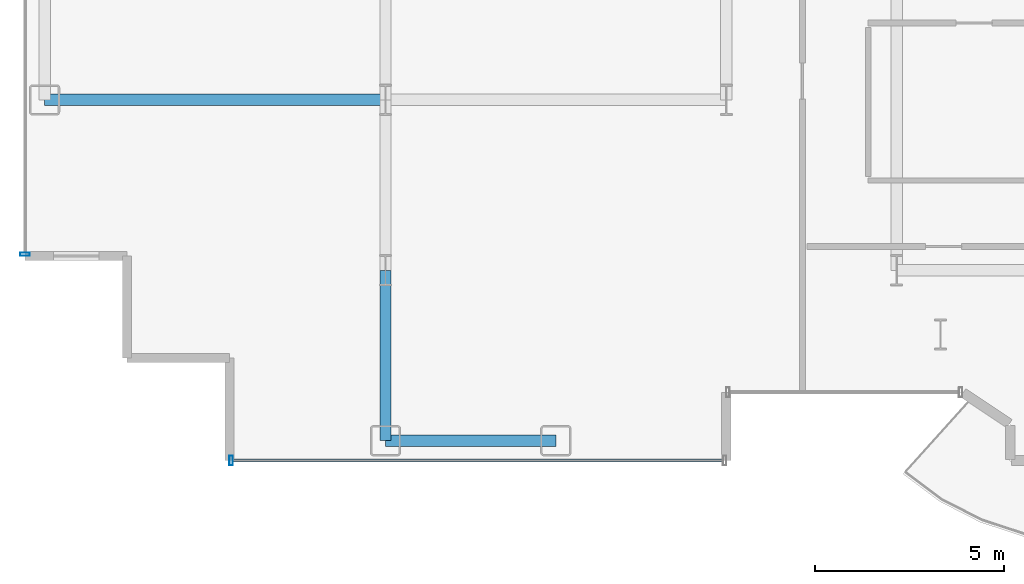
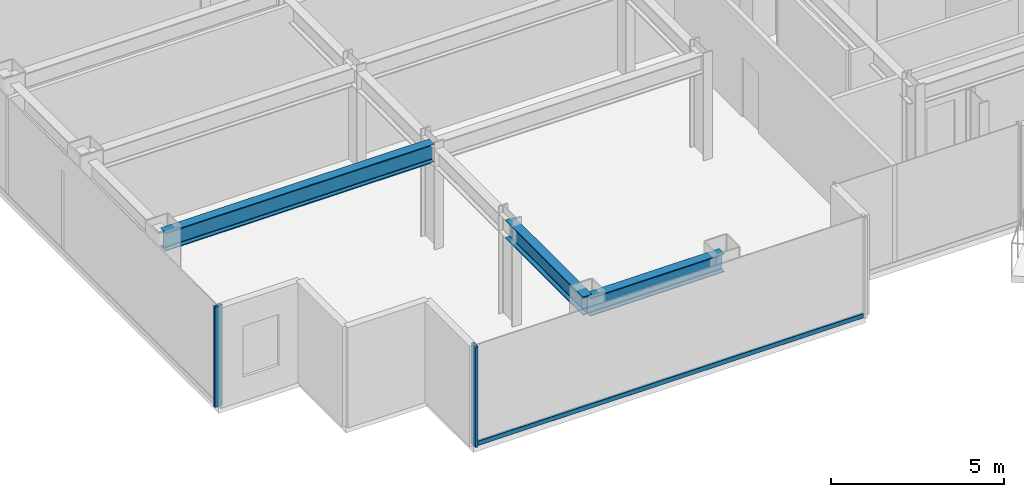
# One storey, part 3 of 22: 3 beams, 3 members, 2 elements without a shape of their own.
"""IFC4 building model written with IfcOpenShell, lengths in metres."""

from ifc_helpers import new_model, si_unit, direction, frame, origin, origin_2d, place, context, subcontext, project, spatial, hollow_rectangle, i_section, extrude, source, transform, mapped, material, layer, layer_set, material_profile, profile_set, type_object, element, aggregate, save


model = new_model("IFC4")

# Units and contexts
model_context = context("Model", 3, precision=1e-05, world=origin(), true_north=direction((0.0, 1.0)))
body_context = subcontext(model_context, "Body", "Model", "MODEL_VIEW")
ifc_project = project(units=[si_unit("LENGTHUNIT", "METRE"), si_unit("AREAUNIT", "SQUARE_METRE"), si_unit("VOLUMEUNIT", "CUBIC_METRE"), si_unit("PLANEANGLEUNIT", "RADIAN"), si_unit("MASSUNIT", "GRAM", prefix="KILO")], contexts=[model_context])

# Site, building, storey
site_placement = place(None, origin())
site = spatial("IfcSite", under=ifc_project, at=site_placement, CompositionType="ELEMENT")
building_placement = place(site_placement, origin())
building = spatial("IfcBuilding", under=site, at=building_placement, Name="Nefas-Gora Pilgrimage Tower", CompositionType="ELEMENT")
storey_placement = place(building_placement, frame((0.0, 0.0, 186.800048828125)))
storey = spatial("IfcBuildingStorey", under=building, at=storey_placement, Name="L46", CompositionType="ELEMENT", Elevation=186.800048828125)

# Beams
ifc_material_1 = material(Name="Steel S355", Category="steel")
ifc_material_profile_1 = material_profile(ifc_material_1, i_section(OverallWidth=0.300048828125, OverallDepth=0.64990234375, WebThickness=0.01611328125, FlangeThickness=0.031005859375, FilletRadius=0.027099609375, at=origin_2d()), Name="HEB 650")
ifc_profile_set_1 = profile_set([ifc_material_profile_1], Name="Steel S355")
beam_type_1 = type_object("IfcBeamType", Name="BM-SPN-HEB500", PredefinedType="SPANDREL", material=ifc_profile_set_1)
shared_shape_1 = source(origin(), body_context, "Body", "SweptSolid", [
    extrude(i_section(OverallWidth=0.300048828125, OverallDepth=0.64990234375, WebThickness=0.01611328125, FlangeThickness=0.031005859375, FilletRadius=0.027099609375, at=origin_2d()), origin(), (0.0, 0.0, 1.0), 4.5),
])
beam_1_placement = place(storey_placement, frame((-24.75, -22.5, 3.224853515625), z_axis=(1.0, 0.0, 0.0), x_axis=(0.0, 1.0, 0.0)))
element("IfcBeam", 1, at=beam_1_placement, inside=storey, type_object=beam_type_1, Name="L46 SP-02 beam", PredefinedType="SPANDREL", context=body_context, shape_type="MappedRepresentation", body=[
    mapped(shared_shape_1, transform((0.0, 0.0, 0.0), x_axis=(1.0, 0.0, 0.0), y_axis=(0.0, 1.0, 0.0), z_axis=(0.0, 0.0, 1.0), scale=1.0)),
])
ifc_material_profile_2 = material_profile(ifc_material_1, i_section(OverallWidth=0.300048828125, OverallDepth=0.64990234375, WebThickness=0.01611328125, FlangeThickness=0.031005859375, FilletRadius=0.027099609375, at=origin_2d()), Name="HEB 650")
ifc_profile_set_2 = profile_set([ifc_material_profile_2], Name="Steel S355")
beam_type_2 = type_object("IfcBeamType", Name="BM-GIR-HEB650", PredefinedType="BEAM", material=ifc_profile_set_2)
shared_shape_2 = source(origin(), body_context, "Body", "SweptSolid", [
    extrude(i_section(OverallWidth=0.300048828125, OverallDepth=0.64990234375, WebThickness=0.01611328125, FlangeThickness=0.031005859375, FilletRadius=0.027099609375, at=origin_2d()), origin(), (0.0, 0.0, 1.0), 9.0),
])
beam_2_placement = place(storey_placement, frame((-33.75, -13.5, 3.224853515625), z_axis=(1.0, 0.0, 0.0), x_axis=(0.0, 1.0, 0.0)))
element("IfcBeam", 2, at=beam_2_placement, inside=storey, type_object=beam_type_2, Name="L46 G-03 beam", PredefinedType="BEAM", context=body_context, shape_type="MappedRepresentation", body=[
    mapped(shared_shape_2, transform((0.0, 0.0, 0.0), x_axis=(1.0, 0.0, 0.0), y_axis=(0.0, 1.0, 0.0), z_axis=(0.0, 0.0, 1.0), scale=1.0)),
])
shared_shape_3 = source(origin(), body_context, "Body", "SweptSolid", [
    extrude(i_section(OverallWidth=0.300048828125, OverallDepth=0.64990234375, WebThickness=0.01611328125, FlangeThickness=0.031005859375, FilletRadius=0.027099609375, at=origin_2d()), origin(), (0.0, 0.0, 1.0), 4.5),
])
beam_3_placement = place(storey_placement, frame((-24.75, -22.5, 3.224853515625), z_axis=(0.0, 1.0, 0.0), x_axis=(-1.0, 0.0, 0.0)))
element("IfcBeam", 3, at=beam_3_placement, inside=storey, type_object=beam_type_2, Name="L46 G-03 beam", PredefinedType="BEAM", context=body_context, shape_type="MappedRepresentation", body=[
    mapped(shared_shape_3, transform((0.0, 0.0, 0.0), x_axis=(1.0, 0.0, 0.0), y_axis=(0.0, 1.0, 0.0), z_axis=(0.0, 0.0, 1.0), scale=1.0)),
])

# Curtain wall, member
ifc_material_2 = material(Name="Dark ceramic-fritted solar-control aluminium-glass curtain wall", Category="aluminium")
ifc_layer = layer(ifc_material_2, 0.219970703125)
ifc_layer_set = layer_set([ifc_layer], Name="Dark ceramic-fritted solar-control aluminium-glass curtain wall")
curtain_wall_type = type_object("IfcCurtainWallType", Name="CW-SYS-3", PredefinedType="NOTDEFINED", material=ifc_layer_set)
curtain_wall_1_placement = place(storey_placement, origin())
curtain_wall_1 = element("IfcCurtainWall", 4, at=curtain_wall_1_placement, inside=storey, type_object=curtain_wall_type, Name="L46 Unitised Curtain Wall CW3", PredefinedType="NOTDEFINED")
ifc_material_3 = material(Name="Anodised architectural aluminium", Category="aluminium")
ifc_material_profile_3 = material_profile(ifc_material_3, hollow_rectangle(XDim=0.090087890625, YDim=0.260009765625, WallThickness=0.006103515625, InnerFilletRadius=0.006103515625, OuterFilletRadius=0.011962890625, at=origin_2d()), Name="ALU MULLION 90x260")
ifc_profile_set_3 = profile_set([ifc_material_profile_3], Name="Anodised architectural aluminium")
member_type_1 = type_object("IfcMemberType", Name="CWM-MUL-3", PredefinedType="MULLION", material=ifc_profile_set_3)
shared_shape_4 = source(origin(), body_context, "Body", "SweptSolid", [
    extrude(hollow_rectangle(XDim=0.090087890625, YDim=0.260009765625, WallThickness=0.006103515625, InnerFilletRadius=0.006103515625, OuterFilletRadius=0.011962890625, at=origin_2d()), origin(), (0.0, 0.0, 1.0), 3.550048828125),
])
member_1_placement = place(storey_placement, frame((-34.27001953125, -17.574951171875, 0.0), z_axis=(0.0, 0.0, 1.0), x_axis=(0.0, -1.0, 0.0)))
member_1 = element("IfcMember", 5, at=member_1_placement, type_object=member_type_1, Name="CW3 Mullion 2", PredefinedType="MULLION", context=body_context, shape_type="MappedRepresentation", body=[
    mapped(shared_shape_4, transform((0.0, 0.0, 0.0), x_axis=(1.0, 0.0, 0.0), y_axis=(0.0, 1.0, 0.0), z_axis=(0.0, 0.0, 1.0), scale=1.0)),
])
aggregate(curtain_wall_1, [member_1])

# Curtain wall, members
curtain_wall_2_placement = place(storey_placement, origin())
curtain_wall_2 = element("IfcCurtainWall", 6, at=curtain_wall_2_placement, inside=storey, type_object=curtain_wall_type, Name="L46 Unitised Curtain Wall CW3", PredefinedType="NOTDEFINED")
member_2_placement = place(storey_placement, frame((-28.824951171875, -23.02001953125, 0.0), z_axis=(0.0, 0.0, 1.0), x_axis=(1.0, 0.0, 0.0)))
member_2 = element("IfcMember", 7, at=member_2_placement, type_object=member_type_1, Name="CW3 Mullion 1", PredefinedType="MULLION", context=body_context, shape_type="MappedRepresentation", body=[
    mapped(shared_shape_4, transform((0.0, 0.0, 0.0), x_axis=(1.0, 0.0, 0.0), y_axis=(0.0, 1.0, 0.0), z_axis=(0.0, 0.0, 1.0), scale=1.0)),
])
ifc_material_profile_4 = material_profile(ifc_material_3, hollow_rectangle(XDim=0.080078125, YDim=0.159912109375, WallThickness=0.00439453125, InnerFilletRadius=0.00439453125, OuterFilletRadius=0.009033203125, at=origin_2d()), Name="ALU TRANSOM 80x160")
ifc_profile_set_4 = profile_set([ifc_material_profile_4], Name="Anodised architectural aluminium")
member_type_2 = type_object("IfcMemberType", Name="CWM-TRN-3", PredefinedType="USERDEFINED", material=ifc_profile_set_4)
shared_shape_5 = source(origin(), body_context, "Body", "SweptSolid", [
    extrude(hollow_rectangle(XDim=0.080078125, YDim=0.159912109375, WallThickness=0.00439453125, InnerFilletRadius=0.00439453125, OuterFilletRadius=0.009033203125, at=origin_2d()), origin(), (0.0, 0.0, 1.0), 12.93994140625),
])
member_3_placement = place(storey_placement, frame((-28.780029296875, -23.02001953125, 0.050048828125), z_axis=(1.0, 0.0, 0.0), x_axis=(0.0, 1.0, 0.0)))
member_3 = element("IfcMember", 8, at=member_3_placement, type_object=member_type_2, Name="CW3 Spandrel Transom", ObjectType="TRANSOM", PredefinedType="USERDEFINED", context=body_context, shape_type="MappedRepresentation", body=[
    mapped(shared_shape_5, transform((0.0, 0.0, 0.0), x_axis=(1.0, 0.0, 0.0), y_axis=(0.0, 1.0, 0.0), z_axis=(0.0, 0.0, 1.0), scale=1.0)),
])
aggregate(curtain_wall_2, [member_2, member_3])

save(model, "model.ifc")
